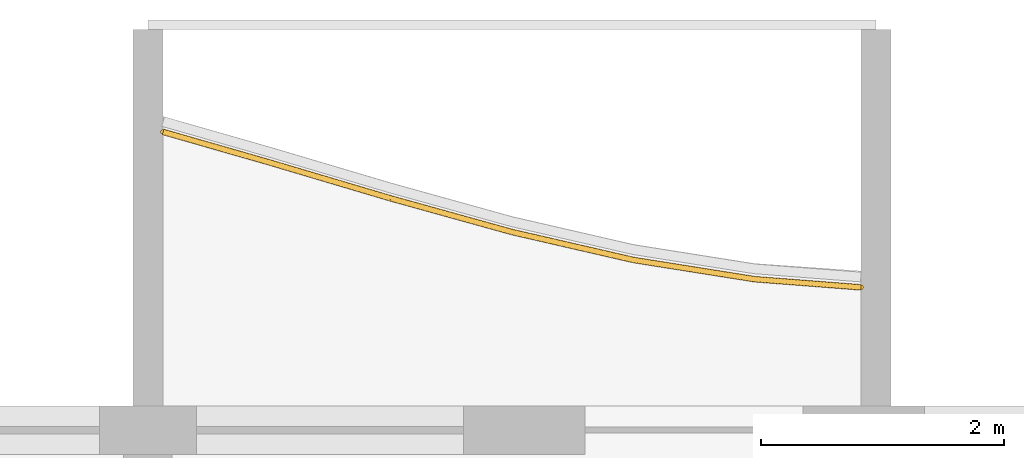
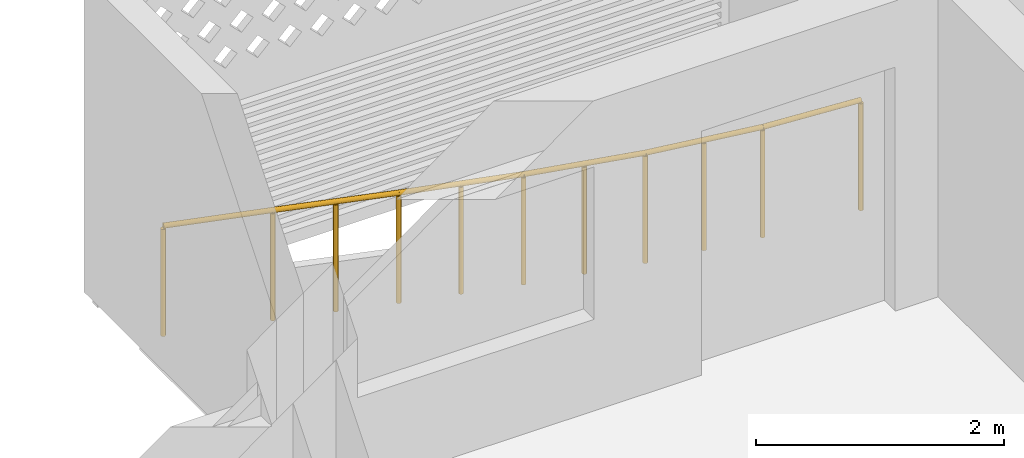
# One storey, part 26 of 40: 1 railing.
"""IFC4 building model written with IfcOpenShell, lengths in metres."""

import ifcopenshell
import ifcopenshell.guid

model = None  # the IFC model being written
_history = None  # IfcOwnerHistory: only IFC2X3 demands one
_inside = {}  # id of a spatial element -> (the spatial element, [elements in it])
_under = {}  # id of a project, library or spatial element -> (it, [spatial elements below it])
_declared = {}  # id of a project -> (the project, [libraries it declares])
_typed = {}  # id of a type object -> (the type object, [elements of that type])
_made_of = {}  # id of a material, layer set ... -> (it, [elements and type objects made of it])


def new_model(schema):
    """Start an empty IFC model of exactly this schema.

    Asked for "IFC4X3", IfcOpenShell would pick the latest addendum, in which some entities
    have other attributes; the version numbers below select the first issue.
    IFC2X3 requires an IfcOwnerHistory on every rooted entity: one is made here for all.
    """
    global model, _history
    if schema == "IFC4X3":
        model = ifcopenshell.file(schema_version=(4, 3, 0, 0))
    else:
        model = ifcopenshell.file(schema=schema)
    _inside.clear()
    _under.clear()
    _declared.clear()
    _typed.clear()
    _made_of.clear()
    _history = None
    if model.schema == "IFC2X3":
        org = make("IfcOrganization", Name="unknown")
        user = make(
            "IfcPersonAndOrganization",
            ThePerson=make("IfcPerson", FamilyName="unknown"),
            TheOrganization=org,
        )
        app = make(
            "IfcApplication",
            ApplicationDeveloper=org,
            Version="unknown",
            ApplicationFullName="unknown",
            ApplicationIdentifier="unknown",
        )
        _history = make(
            "IfcOwnerHistory",
            OwningUser=user,
            OwningApplication=app,
            ChangeAction="ADDED",
            CreationDate=0,
        )
    return model


def make(cls, **values):
    """One entity of the class cls with the attributes given. An attribute that is None is left unset."""
    return model.create_entity(
        cls, **{name: value for name, value in values.items() if value is not None}
    )


def rooted(cls, **values):
    """An entity with a GlobalId (a new one), such as an element, a storey or a relation."""
    return make(cls, GlobalId=ifcopenshell.guid.new(), OwnerHistory=_history, **values)


def si_unit(unit_type, name, prefix=None):
    """IfcSIUnit, for example si_unit("LENGTHUNIT", "METRE", prefix="MILLI")."""
    return make("IfcSIUnit", UnitType=unit_type, Prefix=prefix, Name=name)


def assignment(units):
    """IfcUnitAssignment: the units of a project."""
    return None if units is None else make("IfcUnitAssignment", Units=units)


def point(xyz):
    """IfcCartesianPoint."""
    return None if xyz is None else make("IfcCartesianPoint", Coordinates=xyz)


def direction(xyz):
    """IfcDirection."""
    return None if xyz is None else make("IfcDirection", DirectionRatios=xyz)


def frame(location, z_axis=None, x_axis=None):
    """IfcAxis2Placement3D, a coordinate frame: its origin and axes. An axis left out is left unset."""
    return make(
        "IfcAxis2Placement3D",
        Location=point(location),
        Axis=direction(z_axis),
        RefDirection=direction(x_axis),
    )


def frame_2d(location, x_axis=None):
    """IfcAxis2Placement2D, a coordinate frame in the plane: its origin and x axis."""
    return make(
        "IfcAxis2Placement2D", Location=point(location), RefDirection=direction(x_axis)
    )


def origin():
    """The frame at (0, 0, 0) with its axes left unset."""
    return frame((0.0, 0.0, 0.0))


def origin_2d():
    """The frame at (0, 0) in the plane with its x axis left unset."""
    return frame_2d((0.0, 0.0))


def place(relative_to, where):
    """IfcLocalPlacement: puts the frame where relative to a parent placement (None: the world)."""
    return make(
        "IfcLocalPlacement", PlacementRelTo=relative_to, RelativePlacement=where
    )


def context(
    kind, dimensions, precision=None, world=None, true_north=None, identifier=None
):
    """IfcGeometricRepresentationContext, for example the 3D "Model" context."""
    return make(
        "IfcGeometricRepresentationContext",
        ContextIdentifier=identifier,
        ContextType=kind,
        CoordinateSpaceDimension=dimensions,
        Precision=precision,
        WorldCoordinateSystem=world,
        TrueNorth=true_north,
    )


def subcontext(parent, identifier, kind, view, scale=None):
    """IfcGeometricRepresentationSubContext, for example "Body" below "Model"."""
    return make(
        "IfcGeometricRepresentationSubContext",
        ContextIdentifier=identifier,
        ContextType=kind,
        ParentContext=parent,
        TargetScale=scale,
        TargetView=view,
    )


def project(units=None, contexts=None):
    """IfcProject with its units and contexts."""
    return rooted(
        "IfcProject",
        Name="project",
        RepresentationContexts=contexts,
        UnitsInContext=assignment(units),
    )


def spatial(cls, under=None, at=None, **own):
    """A site, building, storey or space (cls), placed at a placement, below another one or the project."""
    s = rooted(cls, ObjectPlacement=at, **own)
    if under is not None:
        _under.setdefault(under.id(), (under, []))[1].append(s)
    return s


def profile(cls, at=None, kind="AREA", **sizes):
    """A parametric profile (cls). Its sizes go by their IFC names, for example OverallWidth=200.0."""
    return make(cls, ProfileType=kind, Position=at, **sizes)


def circle(**sizes):
    """IfcCircleProfileDef."""
    return profile("IfcCircleProfileDef", **sizes)


def extrude(swept, where, along, depth):
    """IfcExtrudedAreaSolid: the profile swept, set in the frame where, extruded along a direction by depth."""
    return make(
        "IfcExtrudedAreaSolid",
        SweptArea=swept,
        Position=where,
        ExtrudedDirection=direction(along),
        Depth=depth,
    )


def shape(context_of_items, identifier, shape_type, items):
    """IfcShapeRepresentation: the items that make up one representation, for example the "Body"."""
    return make(
        "IfcShapeRepresentation",
        ContextOfItems=context_of_items,
        RepresentationIdentifier=identifier,
        RepresentationType=shape_type,
        Items=items,
    )


def material(Name=None, Category=None):
    """IfcMaterial."""
    return make("IfcMaterial", Name=Name, Category=Category)


def made_of(thing, what):
    """Note that an element or type object is made of a material, layer set ...; save() writes the relation."""
    if what is not None:
        _made_of.setdefault(what.id(), (what, []))[1].append(thing)
    return thing


def type_object(cls, material=None, **own):
    """A type object (cls), such as IfcWallType, which elements share."""
    return made_of(rooted(cls, **own), material)


def element(
    cls,
    number,
    at=None,
    inside=None,
    cuts=None,
    type_object=None,
    material=None,
    context=None,
    identifier="Body",
    shape_type=None,
    held_by="IfcProductDefinitionShape",
    body=None,
    shapes=None,
    **own,
):
    """One element of the class cls, such as IfcWall. Its Tag is "e" and its number.

    at: its placement. inside: the storey or other place that contains it. cuts: it is an
    opening in that element (IfcRelVoidsElement). A single representation is given by context,
    identifier, shape_type and body (its items); several are given by shapes. held_by: the class
    of the entity that holds the representations. save() writes the other relations.
    """
    e = rooted(cls, Tag="e%d" % number, ObjectPlacement=at, **own)
    if body is not None:
        shapes = [shape(context, identifier, shape_type, body)]
    if shapes is not None:
        e.Representation = make(held_by, Representations=shapes)
    if inside is not None:
        _inside.setdefault(inside.id(), (inside, []))[1].append(e)
    if cuts is not None:
        rooted(
            "IfcRelVoidsElement", RelatingBuildingElement=cuts, RelatedOpeningElement=e
        )
    if type_object is not None:
        _typed.setdefault(type_object.id(), (type_object, []))[1].append(e)
    return made_of(e, material)


def aggregate(whole, parts):
    """IfcRelAggregates: a whole, such as a stair, and the parts it consists of."""
    return rooted("IfcRelAggregates", RelatingObject=whole, RelatedObjects=parts)


def save(model, path):
    """Write the relations noted so far, then the file.

    IfcRelAggregates (storeys below a building ...), IfcRelContainedInSpatialStructure (elements
    in a storey), IfcRelDefinesByType, IfcRelAssociatesMaterial and IfcRelDeclares: one each for
    every whole, place, type object, material and project.
    """
    for whole, parts in _under.values():
        aggregate(whole, parts)
    for where, things in _inside.values():
        rooted(
            "IfcRelContainedInSpatialStructure",
            RelatedElements=things,
            RelatingStructure=where,
        )
    for kind, things in _typed.values():
        rooted("IfcRelDefinesByType", RelatedObjects=things, RelatingType=kind)
    for what, things in _made_of.values():
        rooted("IfcRelAssociatesMaterial", RelatedObjects=things, RelatingMaterial=what)
    for by, libraries in _declared.values():
        rooted("IfcRelDeclares", RelatingContext=by, RelatedDefinitions=libraries)
    model.write(path)


model = new_model("IFC4")

# Units and contexts
model_context = context("Model", 3, precision=1e-05, world=origin(), true_north=direction((0.0, 1.0)))
body_context = subcontext(model_context, "Body", "Model", "MODEL_VIEW")
ifc_project = project(units=[si_unit("LENGTHUNIT", "METRE"), si_unit("AREAUNIT", "SQUARE_METRE"), si_unit("VOLUMEUNIT", "CUBIC_METRE"), si_unit("PLANEANGLEUNIT", "RADIAN"), si_unit("MASSUNIT", "GRAM", prefix="KILO")], contexts=[model_context])

# Site, building, storey
site_placement = place(None, origin())
site = spatial("IfcSite", under=ifc_project, at=site_placement, CompositionType="ELEMENT")
building_placement = place(site_placement, origin())
building = spatial("IfcBuilding", under=site, at=building_placement, Name="Poui Terraces", CompositionType="ELEMENT")
storey_placement = place(building_placement, frame((0.0, 0.0, 33.300048828125)))
storey = spatial("IfcBuildingStorey", under=building, at=storey_placement, Name="L08", CompositionType="ELEMENT", Elevation=33.300048828125)

# Railing
ifc_material = material(Name="Painted steel fretwork", Category="steel")
railing_type = type_object("IfcRailingType", Name="BALCONY GUARD 1100", PredefinedType="GUARDRAIL", material=ifc_material)
railing_placement = place(storey_placement, frame((36.125, 47.257568359375, 0.0)))
element("IfcRailing", 1, at=railing_placement, inside=storey, type_object=railing_type, Name="BALCONY GUARD", PredefinedType="GUARDRAIL", context=body_context, shape_type="SweptSolid", body=[
    extrude(circle(Radius=0.02392578125, at=origin_2d()), frame((0.0, 0.0, 1.076171875), z_axis=(0.96124005163, -0.275712827309, 0.0), x_axis=(0.275712827309, 0.96124005163, 0.0)), (0.0, 0.0, 1.0), 0.910400390625),
    extrude(circle(Radius=0.02392578125, at=origin_2d()), frame((0.875, -0.2509765625, 1.076171875), z_axis=(0.958710700624, -0.284383179018, 0.0), x_axis=(0.284383179018, 0.958710700624, 0.0)), (0.0, 0.0, 1.0), 1.04296875),
    extrude(circle(Radius=0.02392578125, at=origin_2d()), frame((1.875, -0.547607421875, 1.076171875), z_axis=(0.963625687064, -0.267255561647, 0.0), x_axis=(0.267255561647, 0.963625687064, 0.0)), (0.0, 0.0, 1.0), 1.037841796875),
    extrude(circle(Radius=0.02392578125, at=origin_2d()), frame((2.875, -0.824951171875, 1.076171875), z_axis=(0.974559344395, -0.224129614849, 0.0), x_axis=(0.224129614849, 0.974559344395, 0.0)), (0.0, 0.0, 1.0), 1.026123046875),
    extrude(circle(Radius=0.02392578125, at=origin_2d()), frame((3.875, -1.054931640625, 1.076171875), z_axis=(0.987641453623, -0.156730211146, 0.0), x_axis=(0.156730211146, 0.987641453623, 0.0)), (0.0, 0.0, 1.0), 1.012451171875),
    extrude(circle(Radius=0.02392578125, at=origin_2d()), frame((4.875, -1.213623046875, 1.076171875), z_axis=(0.997069195359, -0.076505030336, 0.0), x_axis=(0.076505030336, 0.997069195359, 0.0)), (0.0, 0.0, 1.0), 0.877685546875),
    extrude(circle(Radius=0.02099609375, at=origin_2d()), origin(), (0.0, 0.0, 1.0), 1.052001953125),
    extrude(circle(Radius=0.02099609375, at=origin_2d()), frame((0.875, -0.2509765625, 0.0)), (0.0, 0.0, 1.0), 1.052001953125),
    extrude(circle(Radius=0.02099609375, at=origin_2d()), frame((1.375, -0.3994140625, 0.0)), (0.0, 0.0, 1.0), 1.052001953125),
    extrude(circle(Radius=0.02099609375, at=origin_2d()), frame((1.875, -0.547607421875, 0.0)), (0.0, 0.0, 1.0), 1.052001953125),
    extrude(circle(Radius=0.02099609375, at=origin_2d()), frame((2.375, -0.686279296875, 0.0)), (0.0, 0.0, 1.0), 1.052001953125),
    extrude(circle(Radius=0.02099609375, at=origin_2d()), frame((2.875, -0.824951171875, 0.0)), (0.0, 0.0, 1.0), 1.052001953125),
    extrude(circle(Radius=0.02099609375, at=origin_2d()), frame((3.375, -0.93994140625, 0.0)), (0.0, 0.0, 1.0), 1.052001953125),
    extrude(circle(Radius=0.02099609375, at=origin_2d()), frame((3.875, -1.054931640625, 0.0)), (0.0, 0.0, 1.0), 1.052001953125),
    extrude(circle(Radius=0.02099609375, at=origin_2d()), frame((4.375, -1.13427734375, 0.0)), (0.0, 0.0, 1.0), 1.052001953125),
    extrude(circle(Radius=0.02099609375, at=origin_2d()), frame((4.875, -1.213623046875, 0.0)), (0.0, 0.0, 1.0), 1.052001953125),
    extrude(circle(Radius=0.02099609375, at=origin_2d()), frame((5.75, -1.28076171875, 0.0)), (0.0, 0.0, 1.0), 1.052001953125),
])

save(model, "model.ifc")
